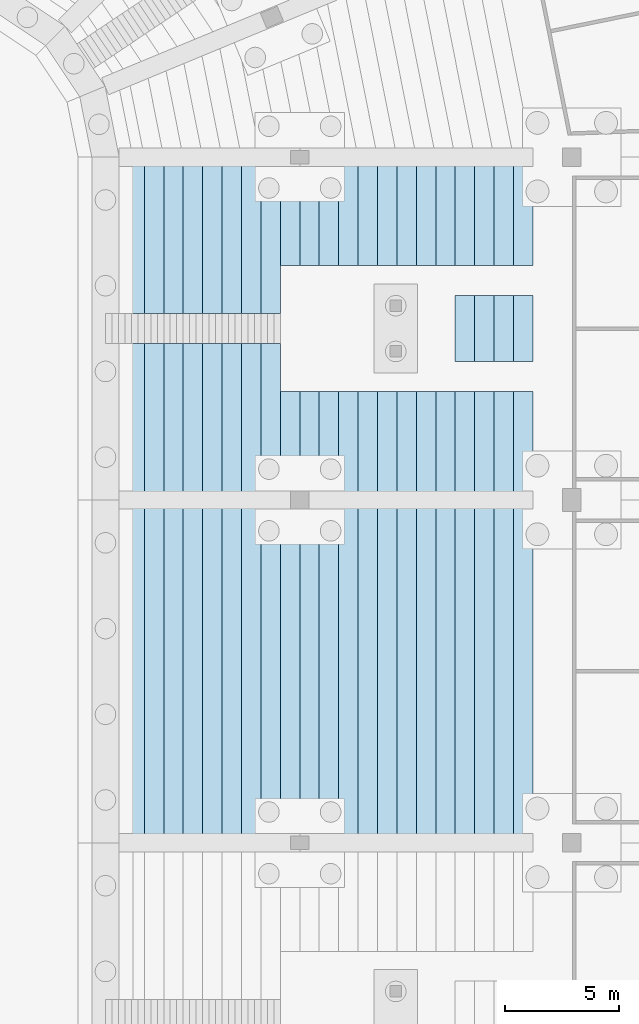
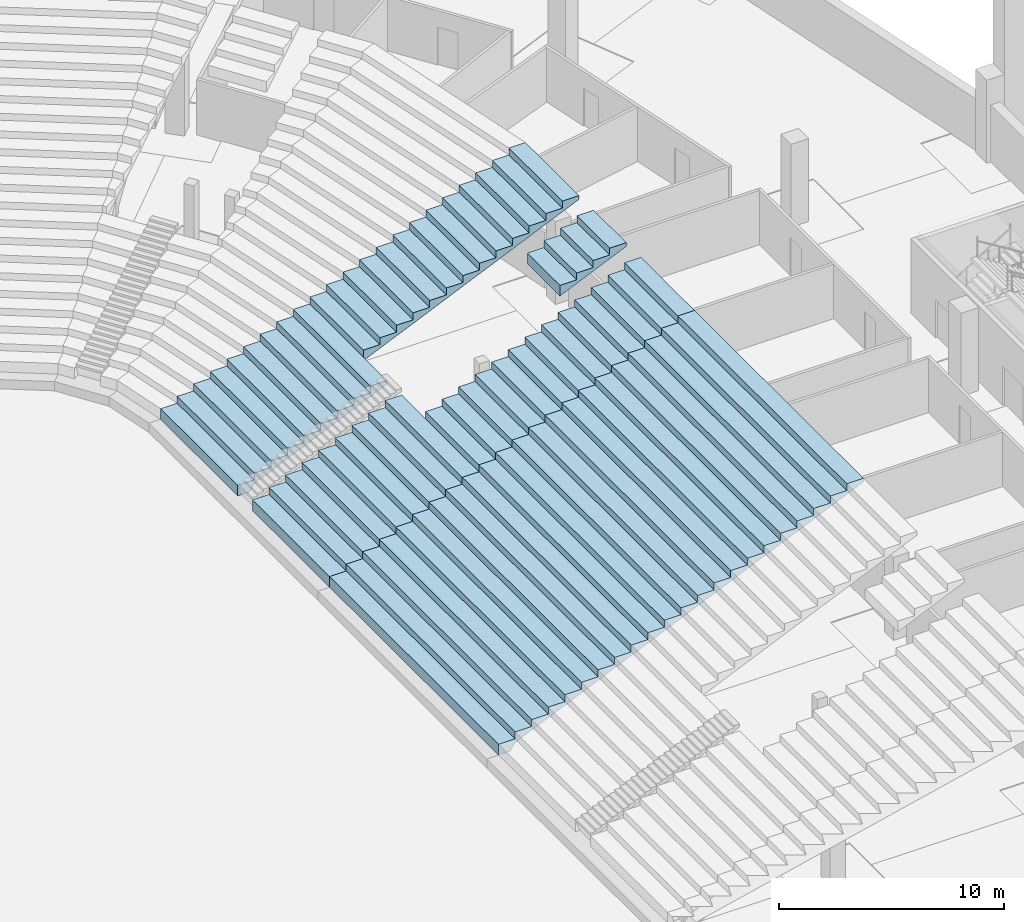
# One storey, part 59 of 115: 2 slabs.
"""IFC4 building model written with IfcOpenShell, lengths in metres."""

from ifc_helpers import new_model, si_unit, direction, frame, origin, place, context, subcontext, project, spatial, faceted_brep, material, layer, layer_set, type_object, element, save


model = new_model("IFC4")

# Units and contexts
model_context = context("Model", 3, precision=1e-05, world=origin(), true_north=direction((0.0, 1.0)))
body_context = subcontext(model_context, "Body", "Model", "MODEL_VIEW")
ifc_project = project(units=[si_unit("LENGTHUNIT", "METRE"), si_unit("AREAUNIT", "SQUARE_METRE"), si_unit("VOLUMEUNIT", "CUBIC_METRE"), si_unit("PLANEANGLEUNIT", "RADIAN"), si_unit("MASSUNIT", "GRAM", prefix="KILO")], contexts=[model_context])

# Site, building, storey
site_placement = place(None, origin())
site = spatial("IfcSite", under=ifc_project, at=site_placement, CompositionType="ELEMENT")
building_placement = place(site_placement, origin())
building = spatial("IfcBuilding", under=site, at=building_placement, Name="Ogive Plaza Stadium", CompositionType="ELEMENT")
storey_placement = place(building_placement, frame((0.0, 0.0, -4.5)))
storey = spatial("IfcBuildingStorey", under=building, at=storey_placement, Name="B1", CompositionType="ELEMENT", Elevation=-4.5)

# Slabs
ifc_material = material(Name="Concrete C45/55 precast", Category="concrete")
ifc_layer = layer(ifc_material, 0.574951171875)
ifc_layer_set = layer_set([ifc_layer], Name="Concrete C45/55 precast")
slab_type = type_object("IfcSlabType", Name="Seating tier LT 575", PredefinedType="USERDEFINED", material=ifc_layer_set)
slab_1_placement = place(storey_placement, origin())
element("IfcSlab", 1, at=slab_1_placement, inside=storey, type_object=slab_type, Name="Stand LT B01", ObjectType="SEATING TIER", PredefinedType="USERDEFINED", context=body_context, shape_type="Brep", body=[
    faceted_brep([(41.5, 45.64990234375, 1.125), (42.10009765625, 45.64990234375, 1.125), (42.10009765625, 52.5, 1.125), (41.5, 52.5, 1.125), (41.5, 37.5, 1.125), (42.10009765625, 37.5, 1.125), (42.10009765625, 44.35009765625, 1.125), (41.5, 44.35009765625, 1.125), (42.35009765625, 45.64990234375, 1.125), (42.35009765625, 52.5, 1.125), (42.35009765625, 37.5, 1.125), (42.35009765625, 44.35009765625, 1.125), (42.10009765625, 45.64990234375, 0.550048828125), (41.5, 52.5, 0.550048828125), (42.10009765625, 52.5, 0.550048828125), (41.5, 45.64990234375, 0.550048828125), (42.10009765625, 37.5, 0.550048828125), (41.5, 44.35009765625, 0.550048828125), (42.10009765625, 44.35009765625, 0.550048828125), (41.5, 37.5, 0.550048828125), (42.35009765625, 52.5, 0.925048828125), (42.35009765625, 52.5, 1.5), (43.199951171875, 52.5, 1.5), (43.199951171875, 52.5, 1.300048828125), (43.199951171875, 52.5, 1.875), (44.050048828125, 52.5, 1.875), (44.050048828125, 52.5, 1.675048828125), (44.050048828125, 52.5, 2.25), (44.89990234375, 52.5, 2.25), (44.89990234375, 52.5, 2.050048828125), (44.89990234375, 52.5, 2.625), (45.75, 52.5, 2.625), (45.75, 52.5, 2.425048828125), (45.75, 52.5, 3.0), (46.60009765625, 52.5, 3.0), (46.60009765625, 52.5, 2.800048828125), (46.60009765625, 52.5, 3.375), (47.449951171875, 52.5, 3.375), (47.449951171875, 52.5, 3.175048828125), (47.449951171875, 52.5, 3.75), (48.300048828125, 52.5, 3.75), (48.300048828125, 52.5, 3.550048828125), (48.300048828125, 52.5, 4.125), (49.14990234375, 52.5, 4.125), (49.14990234375, 52.5, 3.925048828125), (49.14990234375, 52.5, 4.5), (50.0, 52.5, 4.5), (50.0, 52.5, 4.300048828125), (50.0, 52.5, 4.875), (50.85009765625, 52.5, 4.875), (50.85009765625, 52.5, 4.675048828125), (50.85009765625, 52.5, 5.25), (51.699951171875, 52.5, 5.25), (51.699951171875, 52.5, 5.050048828125), (51.699951171875, 52.5, 5.625), (52.550048828125, 52.5, 5.625), (52.550048828125, 52.5, 5.425048828125), (52.550048828125, 52.5, 6.0), (53.39990234375, 52.5, 6.0), (53.39990234375, 52.5, 5.800048828125), (53.39990234375, 52.5, 6.375), (54.25, 52.5, 6.375), (54.25, 52.5, 6.175048828125), (54.25, 52.5, 6.75), (55.10009765625, 52.5, 6.75), (55.10009765625, 52.5, 6.550048828125), (55.10009765625, 52.5, 7.125), (55.949951171875, 52.5, 7.125), (55.949951171875, 52.5, 6.925048828125), (55.949951171875, 52.5, 7.5), (56.800048828125, 52.5, 7.5), (56.800048828125, 52.5, 7.300048828125), (56.800048828125, 52.5, 7.875), (57.64990234375, 52.5, 7.875), (57.64990234375, 52.5, 7.675048828125), (57.64990234375, 52.5, 8.25), (58.5, 52.5, 8.25), (58.5, 52.5, 8.050048828125), (58.5, 52.5, 8.625), (59.35009765625, 52.5, 8.625), (59.35009765625, 52.5, 8.425048828125), (59.35009765625, 52.5, 9.0), (60.199951171875, 52.5, 9.0), (60.199951171875, 52.5, 8.800048828125), (42.35009765625, 45.64990234375, 0.925048828125), (43.199951171875, 45.64990234375, 1.5), (42.35009765625, 45.64990234375, 1.5), (43.199951171875, 45.64990234375, 1.300048828125), (44.050048828125, 45.64990234375, 1.875), (43.199951171875, 45.64990234375, 1.875), (44.050048828125, 45.64990234375, 1.675048828125), (44.89990234375, 45.64990234375, 2.25), (44.050048828125, 45.64990234375, 2.25), (44.89990234375, 45.64990234375, 2.050048828125), (45.75, 45.64990234375, 2.625), (44.89990234375, 45.64990234375, 2.625), (45.75, 45.64990234375, 2.425048828125), (46.60009765625, 45.64990234375, 3.0), (45.75, 45.64990234375, 3.0), (46.60009765625, 45.64990234375, 2.800048828125), (47.449951171875, 45.64990234375, 3.375), (46.60009765625, 45.64990234375, 3.375), (47.449951171875, 45.64990234375, 3.175048828125), (48.300048828125, 45.64990234375, 3.75), (47.449951171875, 45.64990234375, 3.75), (48.300048828125, 45.64990234375, 3.550048828125), (49.14990234375, 45.64990234375, 4.125), (48.300048828125, 45.64990234375, 4.125), (49.14990234375, 45.64990234375, 3.925048828125), (42.35009765625, 44.35009765625, 0.925048828125), (42.35009765625, 44.35009765625, 1.5), (43.199951171875, 44.35009765625, 1.5), (43.199951171875, 44.35009765625, 1.300048828125), (43.199951171875, 44.35009765625, 1.875), (44.050048828125, 44.35009765625, 1.875), (44.050048828125, 44.35009765625, 1.675048828125), (44.050048828125, 44.35009765625, 2.25), (44.89990234375, 44.35009765625, 2.25), (44.89990234375, 44.35009765625, 2.050048828125), (44.89990234375, 44.35009765625, 2.625), (45.75, 44.35009765625, 2.625), (45.75, 44.35009765625, 2.425048828125), (45.75, 44.35009765625, 3.0), (46.60009765625, 44.35009765625, 3.0), (46.60009765625, 44.35009765625, 2.800048828125), (46.60009765625, 44.35009765625, 3.375), (47.449951171875, 44.35009765625, 3.375), (47.449951171875, 44.35009765625, 3.175048828125), (47.449951171875, 44.35009765625, 3.75), (48.300048828125, 44.35009765625, 3.75), (48.300048828125, 44.35009765625, 3.550048828125), (48.300048828125, 44.35009765625, 4.125), (49.14990234375, 44.35009765625, 4.125), (49.14990234375, 44.35009765625, 3.925048828125), (42.35009765625, 37.5, 0.925048828125), (43.199951171875, 37.5, 1.5), (42.35009765625, 37.5, 1.5), (43.199951171875, 37.5, 1.300048828125), (44.050048828125, 37.5, 1.875), (43.199951171875, 37.5, 1.875), (44.050048828125, 37.5, 1.675048828125), (44.89990234375, 37.5, 2.25), (44.050048828125, 37.5, 2.25), (44.89990234375, 37.5, 2.050048828125), (45.75, 37.5, 2.625), (44.89990234375, 37.5, 2.625), (45.75, 37.5, 2.425048828125), (46.60009765625, 37.5, 3.0), (45.75, 37.5, 3.0), (46.60009765625, 37.5, 2.800048828125), (47.449951171875, 37.5, 3.375), (46.60009765625, 37.5, 3.375), (47.449951171875, 37.5, 3.175048828125), (48.300048828125, 37.5, 3.75), (47.449951171875, 37.5, 3.75), (48.300048828125, 37.5, 3.550048828125), (49.14990234375, 37.5, 4.125), (48.300048828125, 37.5, 4.125), (49.14990234375, 37.5, 3.925048828125), (50.0, 37.5, 4.5), (49.14990234375, 37.5, 4.5), (50.0, 37.5, 4.300048828125), (50.85009765625, 37.5, 4.875), (50.0, 37.5, 4.875), (50.85009765625, 37.5, 4.675048828125), (51.699951171875, 37.5, 5.25), (50.85009765625, 37.5, 5.25), (51.699951171875, 37.5, 5.050048828125), (52.550048828125, 37.5, 5.625), (51.699951171875, 37.5, 5.625), (52.550048828125, 37.5, 5.425048828125), (53.39990234375, 37.5, 6.0), (52.550048828125, 37.5, 6.0), (53.39990234375, 37.5, 5.800048828125), (54.25, 37.5, 6.375), (53.39990234375, 37.5, 6.375), (54.25, 37.5, 6.175048828125), (55.10009765625, 37.5, 6.75), (54.25, 37.5, 6.75), (55.10009765625, 37.5, 6.550048828125), (55.949951171875, 37.5, 7.125), (55.10009765625, 37.5, 7.125), (55.949951171875, 37.5, 6.925048828125), (56.800048828125, 37.5, 7.5), (55.949951171875, 37.5, 7.5), (56.800048828125, 37.5, 7.300048828125), (57.64990234375, 37.5, 7.875), (56.800048828125, 37.5, 7.875), (57.64990234375, 37.5, 7.675048828125), (58.5, 37.5, 8.25), (57.64990234375, 37.5, 8.25), (58.5, 37.5, 8.050048828125), (59.35009765625, 37.5, 8.625), (58.5, 37.5, 8.625), (59.35009765625, 37.5, 8.425048828125), (60.199951171875, 37.5, 9.0), (59.35009765625, 37.5, 9.0), (60.199951171875, 37.5, 8.800048828125), (49.14990234375, 47.75, 3.925048828125), (49.14990234375, 42.25, 3.925048828125), (50.0, 47.75, 4.300048828125), (50.0, 42.25, 4.300048828125), (50.85009765625, 47.75, 4.675048828125), (50.85009765625, 42.25, 4.675048828125), (51.699951171875, 47.75, 5.050048828125), (51.699951171875, 42.25, 5.050048828125), (52.550048828125, 47.75, 5.425048828125), (52.550048828125, 42.25, 5.425048828125), (53.39990234375, 47.75, 5.800048828125), (53.39990234375, 42.25, 5.800048828125), (54.25, 47.75, 6.175048828125), (54.25, 42.25, 6.175048828125), (55.10009765625, 47.75, 6.550048828125), (55.10009765625, 42.25, 6.550048828125), (55.949951171875, 47.75, 6.925048828125), (55.949951171875, 42.25, 6.925048828125), (56.800048828125, 47.75, 7.300048828125), (56.800048828125, 42.25, 7.300048828125), (57.64990234375, 47.75, 7.675048828125), (57.64990234375, 43.550048828125, 7.675048828125), (56.800048828125, 46.449951171875, 7.300048828125), (57.64990234375, 46.449951171875, 7.675048828125), (56.800048828125, 43.550048828125, 7.300048828125), (57.64990234375, 42.25, 7.675048828125), (49.14990234375, 47.75, 4.125), (49.14990234375, 42.25, 4.125), (49.14990234375, 47.75, 4.5), (49.14990234375, 42.25, 4.5), (50.0, 47.75, 4.5), (50.0, 42.25, 4.5), (50.0, 47.75, 4.875), (50.0, 42.25, 4.875), (50.85009765625, 47.75, 4.875), (51.699951171875, 47.75, 5.25), (50.85009765625, 47.75, 5.25), (52.550048828125, 47.75, 5.625), (51.699951171875, 47.75, 5.625), (53.39990234375, 47.75, 6.0), (52.550048828125, 47.75, 6.0), (54.25, 47.75, 6.375), (53.39990234375, 47.75, 6.375), (55.10009765625, 47.75, 6.75), (54.25, 47.75, 6.75), (55.949951171875, 47.75, 7.125), (55.10009765625, 47.75, 7.125), (56.800048828125, 47.75, 7.5), (55.949951171875, 47.75, 7.5), (57.64990234375, 47.75, 7.875), (56.800048828125, 47.75, 7.875), (58.5, 47.75, 8.25), (57.64990234375, 47.75, 8.25), (58.5, 47.75, 8.050048828125), (59.35009765625, 47.75, 8.625), (58.5, 47.75, 8.625), (59.35009765625, 47.75, 8.425048828125), (60.199951171875, 47.75, 9.0), (59.35009765625, 47.75, 9.0), (60.199951171875, 47.75, 8.800048828125), (50.85009765625, 42.25, 4.875), (50.85009765625, 42.25, 5.25), (51.699951171875, 42.25, 5.25), (51.699951171875, 42.25, 5.625), (52.550048828125, 42.25, 5.625), (52.550048828125, 42.25, 6.0), (53.39990234375, 42.25, 6.0), (53.39990234375, 42.25, 6.375), (54.25, 42.25, 6.375), (54.25, 42.25, 6.75), (55.10009765625, 42.25, 6.75), (55.10009765625, 42.25, 7.125), (55.949951171875, 42.25, 7.125), (55.949951171875, 42.25, 7.5), (56.800048828125, 42.25, 7.5), (56.800048828125, 42.25, 7.875), (57.64990234375, 42.25, 7.875), (57.64990234375, 42.25, 8.25), (58.5, 42.25, 8.25), (58.5, 42.25, 8.050048828125), (58.5, 42.25, 8.625), (59.35009765625, 42.25, 8.625), (59.35009765625, 42.25, 8.425048828125), (59.35009765625, 42.25, 9.0), (60.199951171875, 42.25, 9.0), (60.199951171875, 42.25, 8.800048828125), (56.800048828125, 46.449951171875, 7.875), (56.800048828125, 43.550048828125, 7.875), (57.64990234375, 43.550048828125, 7.875), (57.64990234375, 46.449951171875, 7.875), (57.64990234375, 43.550048828125, 8.25), (57.64990234375, 46.449951171875, 8.25), (58.5, 46.449951171875, 8.25), (58.5, 46.449951171875, 8.050048828125), (58.5, 46.449951171875, 8.625), (59.35009765625, 46.449951171875, 8.625), (59.35009765625, 46.449951171875, 8.425048828125), (59.35009765625, 46.449951171875, 9.0), (60.199951171875, 46.449951171875, 9.0), (60.199951171875, 46.449951171875, 8.800048828125), (58.5, 43.550048828125, 8.25), (58.5, 43.550048828125, 8.050048828125), (59.35009765625, 43.550048828125, 8.625), (58.5, 43.550048828125, 8.625), (59.35009765625, 43.550048828125, 8.425048828125), (60.199951171875, 43.550048828125, 9.0), (59.35009765625, 43.550048828125, 9.0), (60.199951171875, 43.550048828125, 8.800048828125)], [[[0, 1, 2]], [[2, 3, 0]], [[4, 5, 6]], [[6, 7, 4]], [[1, 8, 9]], [[9, 2, 1]], [[5, 10, 11]], [[11, 6, 5]], [[12, 13, 14]], [[12, 15, 13]], [[16, 17, 18]], [[16, 19, 17]], [[2, 14, 13]], [[13, 3, 2]], [[20, 14, 2]], [[20, 2, 9]], [[9, 21, 22]], [[22, 23, 20]], [[20, 9, 22]], [[22, 24, 25]], [[25, 26, 23]], [[23, 22, 25]], [[25, 27, 28]], [[28, 29, 26]], [[26, 25, 28]], [[28, 30, 31]], [[31, 32, 29]], [[29, 28, 31]], [[31, 33, 34]], [[34, 35, 32]], [[32, 31, 34]], [[34, 36, 37]], [[37, 38, 35]], [[35, 34, 37]], [[37, 39, 40]], [[40, 41, 38]], [[38, 37, 40]], [[40, 42, 43]], [[43, 44, 41]], [[41, 40, 43]], [[43, 45, 46]], [[46, 47, 44]], [[44, 43, 46]], [[46, 48, 49]], [[49, 50, 47]], [[47, 46, 49]], [[49, 51, 52]], [[52, 53, 50]], [[50, 49, 52]], [[52, 54, 55]], [[55, 56, 53]], [[53, 52, 55]], [[55, 57, 58]], [[58, 59, 56]], [[56, 55, 58]], [[58, 60, 61]], [[61, 62, 59]], [[59, 58, 61]], [[61, 63, 64]], [[64, 65, 62]], [[62, 61, 64]], [[64, 66, 67]], [[67, 68, 65]], [[65, 64, 67]], [[67, 69, 70]], [[70, 71, 68]], [[68, 67, 70]], [[70, 72, 73]], [[73, 74, 71]], [[71, 70, 73]], [[73, 75, 76]], [[76, 77, 74]], [[74, 73, 76]], [[76, 78, 79]], [[79, 80, 77]], [[77, 76, 79]], [[79, 81, 82]], [[82, 83, 80]], [[80, 79, 82]], [[3, 13, 15]], [[15, 0, 3]], [[7, 17, 19]], [[19, 4, 7]], [[0, 15, 12]], [[12, 1, 0]], [[1, 12, 84]], [[84, 8, 1]], [[85, 86, 8]], [[8, 84, 87]], [[87, 85, 8]], [[88, 89, 85]], [[85, 87, 90]], [[90, 88, 85]], [[91, 92, 88]], [[88, 90, 93]], [[93, 91, 88]], [[94, 95, 91]], [[91, 93, 96]], [[96, 94, 91]], [[97, 98, 94]], [[94, 96, 99]], [[99, 97, 94]], [[100, 101, 97]], [[97, 99, 102]], [[102, 100, 97]], [[103, 104, 100]], [[100, 102, 105]], [[105, 103, 100]], [[106, 107, 103]], [[103, 105, 108]], [[108, 106, 103]], [[6, 18, 17]], [[17, 7, 6]], [[109, 18, 6]], [[109, 6, 11]], [[11, 110, 111]], [[111, 112, 109]], [[109, 11, 111]], [[111, 113, 114]], [[114, 115, 112]], [[112, 111, 114]], [[114, 116, 117]], [[117, 118, 115]], [[115, 114, 117]], [[117, 119, 120]], [[120, 121, 118]], [[118, 117, 120]], [[120, 122, 123]], [[123, 124, 121]], [[121, 120, 123]], [[123, 125, 126]], [[126, 127, 124]], [[124, 123, 126]], [[126, 128, 129]], [[129, 130, 127]], [[127, 126, 129]], [[129, 131, 132]], [[132, 133, 130]], [[130, 129, 132]], [[4, 19, 16]], [[16, 5, 4]], [[5, 16, 134]], [[134, 10, 5]], [[135, 136, 10]], [[10, 134, 137]], [[137, 135, 10]], [[138, 139, 135]], [[135, 137, 140]], [[140, 138, 135]], [[141, 142, 138]], [[138, 140, 143]], [[143, 141, 138]], [[144, 145, 141]], [[141, 143, 146]], [[146, 144, 141]], [[147, 148, 144]], [[144, 146, 149]], [[149, 147, 144]], [[150, 151, 147]], [[147, 149, 152]], [[152, 150, 147]], [[153, 154, 150]], [[150, 152, 155]], [[155, 153, 150]], [[156, 157, 153]], [[153, 155, 158]], [[158, 156, 153]], [[159, 160, 156]], [[156, 158, 161]], [[161, 159, 156]], [[162, 163, 159]], [[159, 161, 164]], [[164, 162, 159]], [[165, 166, 162]], [[162, 164, 167]], [[167, 165, 162]], [[168, 169, 165]], [[165, 167, 170]], [[170, 168, 165]], [[171, 172, 168]], [[168, 170, 173]], [[173, 171, 168]], [[174, 175, 171]], [[171, 173, 176]], [[176, 174, 171]], [[177, 178, 174]], [[174, 176, 179]], [[179, 177, 174]], [[180, 181, 177]], [[177, 179, 182]], [[182, 180, 177]], [[183, 184, 180]], [[180, 182, 185]], [[185, 183, 180]], [[186, 187, 183]], [[183, 185, 188]], [[188, 186, 183]], [[189, 190, 186]], [[186, 188, 191]], [[191, 189, 186]], [[192, 193, 189]], [[189, 191, 194]], [[194, 192, 189]], [[195, 196, 192]], [[192, 194, 197]], [[197, 195, 192]], [[84, 14, 20]], [[84, 12, 14]], [[134, 18, 109]], [[134, 16, 18]], [[8, 86, 21]], [[21, 9, 8]], [[10, 136, 110]], [[110, 11, 10]], [[86, 85, 22]], [[22, 21, 86]], [[136, 135, 111]], [[111, 110, 136]], [[87, 20, 23]], [[87, 84, 20]], [[137, 109, 112]], [[137, 134, 109]], [[90, 23, 26]], [[90, 87, 23]], [[140, 112, 115]], [[140, 137, 112]], [[93, 26, 29]], [[93, 90, 26]], [[143, 115, 118]], [[143, 140, 115]], [[96, 29, 32]], [[96, 93, 29]], [[146, 118, 121]], [[146, 143, 118]], [[99, 32, 35]], [[99, 96, 32]], [[149, 121, 124]], [[149, 146, 121]], [[102, 35, 38]], [[102, 99, 35]], [[152, 124, 127]], [[152, 149, 124]], [[105, 38, 41]], [[105, 102, 38]], [[155, 127, 130]], [[155, 152, 127]], [[41, 44, 198]], [[108, 41, 198]], [[108, 105, 41]], [[199, 158, 130]], [[130, 133, 199]], [[158, 155, 130]], [[200, 44, 47]], [[200, 198, 44]], [[161, 199, 201]], [[161, 158, 199]], [[202, 47, 50]], [[202, 200, 47]], [[164, 201, 203]], [[164, 161, 201]], [[204, 50, 53]], [[204, 202, 50]], [[167, 203, 205]], [[167, 164, 203]], [[206, 53, 56]], [[206, 204, 53]], [[170, 205, 207]], [[170, 167, 205]], [[208, 56, 59]], [[208, 206, 56]], [[173, 207, 209]], [[173, 170, 207]], [[210, 59, 62]], [[210, 208, 59]], [[176, 209, 211]], [[176, 173, 209]], [[212, 62, 65]], [[212, 210, 62]], [[179, 211, 213]], [[179, 176, 211]], [[214, 65, 68]], [[214, 212, 65]], [[182, 213, 215]], [[182, 179, 213]], [[216, 68, 71]], [[216, 214, 68]], [[185, 215, 217]], [[185, 182, 215]], [[218, 71, 74]], [[218, 216, 71]], [[219, 220, 221]], [[219, 222, 220]], [[188, 217, 223]], [[188, 185, 217]], [[85, 89, 24]], [[24, 22, 85]], [[135, 139, 113]], [[113, 111, 135]], [[89, 88, 25]], [[25, 24, 89]], [[139, 138, 114]], [[114, 113, 139]], [[88, 92, 27]], [[27, 25, 88]], [[138, 142, 116]], [[116, 114, 138]], [[92, 91, 28]], [[28, 27, 92]], [[142, 141, 117]], [[117, 116, 142]], [[91, 95, 30]], [[30, 28, 91]], [[141, 145, 119]], [[119, 117, 141]], [[95, 94, 31]], [[31, 30, 95]], [[145, 144, 120]], [[120, 119, 145]], [[94, 98, 33]], [[33, 31, 94]], [[144, 148, 122]], [[122, 120, 144]], [[98, 97, 34]], [[34, 33, 98]], [[148, 147, 123]], [[123, 122, 148]], [[97, 101, 36]], [[36, 34, 97]], [[147, 151, 125]], [[125, 123, 147]], [[101, 100, 37]], [[37, 36, 101]], [[151, 150, 126]], [[126, 125, 151]], [[100, 104, 39]], [[39, 37, 100]], [[150, 154, 128]], [[128, 126, 150]], [[104, 103, 40]], [[40, 39, 104]], [[154, 153, 129]], [[129, 128, 154]], [[103, 107, 42]], [[42, 40, 103]], [[153, 157, 131]], [[131, 129, 153]], [[43, 42, 107]], [[224, 43, 107]], [[106, 224, 107]], [[132, 131, 157]], [[157, 156, 225]], [[225, 132, 157]], [[106, 108, 198]], [[198, 224, 106]], [[225, 199, 133]], [[225, 133, 132]], [[45, 43, 224]], [[226, 45, 224]], [[227, 225, 156]], [[160, 227, 156]], [[226, 228, 46]], [[46, 45, 226]], [[160, 159, 229]], [[229, 227, 160]], [[228, 230, 48]], [[48, 46, 228]], [[159, 163, 231]], [[231, 229, 159]], [[228, 226, 224]], [[224, 198, 200]], [[200, 228, 224]], [[232, 230, 228]], [[228, 200, 202]], [[202, 232, 228]], [[233, 234, 232]], [[232, 202, 204]], [[204, 233, 232]], [[235, 236, 233]], [[233, 204, 206]], [[206, 235, 233]], [[237, 238, 235]], [[235, 206, 208]], [[208, 237, 235]], [[239, 240, 237]], [[237, 208, 210]], [[210, 239, 237]], [[241, 242, 239]], [[239, 210, 212]], [[212, 241, 239]], [[243, 244, 241]], [[241, 212, 214]], [[214, 243, 241]], [[245, 246, 243]], [[243, 214, 216]], [[216, 245, 243]], [[247, 248, 245]], [[245, 216, 218]], [[218, 247, 245]], [[249, 250, 247]], [[247, 218, 251]], [[251, 249, 247]], [[252, 253, 249]], [[249, 251, 254]], [[254, 252, 249]], [[255, 256, 252]], [[252, 254, 257]], [[257, 255, 252]], [[225, 227, 229]], [[229, 201, 199]], [[199, 225, 229]], [[229, 231, 258]], [[258, 203, 201]], [[201, 229, 258]], [[258, 259, 260]], [[260, 205, 203]], [[203, 258, 260]], [[260, 261, 262]], [[262, 207, 205]], [[205, 260, 262]], [[262, 263, 264]], [[264, 209, 207]], [[207, 262, 264]], [[264, 265, 266]], [[266, 211, 209]], [[209, 264, 266]], [[266, 267, 268]], [[268, 213, 211]], [[211, 266, 268]], [[268, 269, 270]], [[270, 215, 213]], [[213, 268, 270]], [[270, 271, 272]], [[272, 217, 215]], [[215, 270, 272]], [[272, 273, 274]], [[274, 223, 217]], [[217, 272, 274]], [[274, 275, 276]], [[276, 277, 223]], [[223, 274, 276]], [[276, 278, 279]], [[279, 280, 277]], [[277, 276, 279]], [[279, 281, 282]], [[282, 283, 280]], [[280, 279, 282]], [[230, 232, 49]], [[49, 48, 230]], [[163, 162, 258]], [[258, 231, 163]], [[232, 234, 51]], [[51, 49, 232]], [[162, 166, 259]], [[259, 258, 162]], [[234, 233, 52]], [[52, 51, 234]], [[166, 165, 260]], [[260, 259, 166]], [[233, 236, 54]], [[54, 52, 233]], [[165, 169, 261]], [[261, 260, 165]], [[236, 235, 55]], [[55, 54, 236]], [[169, 168, 262]], [[262, 261, 169]], [[235, 238, 57]], [[57, 55, 235]], [[168, 172, 263]], [[263, 262, 168]], [[238, 237, 58]], [[58, 57, 238]], [[172, 171, 264]], [[264, 263, 172]], [[237, 240, 60]], [[60, 58, 237]], [[171, 175, 265]], [[265, 264, 171]], [[240, 239, 61]], [[61, 60, 240]], [[175, 174, 266]], [[266, 265, 175]], [[239, 242, 63]], [[63, 61, 239]], [[174, 178, 267]], [[267, 266, 174]], [[242, 241, 64]], [[64, 63, 242]], [[178, 177, 268]], [[268, 267, 178]], [[241, 244, 66]], [[66, 64, 241]], [[177, 181, 269]], [[269, 268, 177]], [[244, 243, 67]], [[67, 66, 244]], [[181, 180, 270]], [[270, 269, 181]], [[243, 246, 69]], [[69, 67, 243]], [[180, 184, 271]], [[271, 270, 180]], [[246, 245, 70]], [[70, 69, 246]], [[184, 183, 272]], [[272, 271, 184]], [[245, 248, 72]], [[72, 70, 245]], [[284, 220, 222]], [[222, 285, 284]], [[183, 187, 273]], [[273, 272, 183]], [[248, 247, 73]], [[73, 72, 248]], [[285, 286, 287]], [[287, 284, 285]], [[187, 186, 274]], [[274, 273, 187]], [[247, 250, 75]], [[75, 73, 247]], [[286, 288, 289]], [[289, 287, 286]], [[186, 190, 275]], [[275, 274, 186]], [[221, 220, 284]], [[221, 284, 287]], [[287, 289, 290]], [[290, 291, 221]], [[221, 287, 290]], [[290, 292, 293]], [[293, 294, 291]], [[291, 290, 293]], [[293, 295, 296]], [[296, 297, 294]], [[294, 293, 296]], [[285, 222, 219]], [[219, 286, 285]], [[298, 288, 286]], [[286, 219, 299]], [[299, 298, 286]], [[300, 301, 298]], [[298, 299, 302]], [[302, 300, 298]], [[303, 304, 300]], [[300, 302, 305]], [[305, 303, 300]], [[250, 249, 76]], [[76, 75, 250]], [[288, 298, 290]], [[290, 289, 288]], [[190, 189, 276]], [[276, 275, 190]], [[251, 74, 77]], [[251, 218, 74]], [[299, 221, 291]], [[299, 219, 221]], [[191, 223, 277]], [[191, 188, 223]], [[254, 77, 80]], [[254, 251, 77]], [[302, 291, 294]], [[302, 299, 291]], [[194, 277, 280]], [[194, 191, 277]], [[257, 80, 83]], [[257, 254, 80]], [[305, 294, 297]], [[305, 302, 294]], [[197, 280, 283]], [[197, 194, 280]], [[249, 253, 78]], [[78, 76, 249]], [[298, 301, 292]], [[292, 290, 298]], [[189, 193, 278]], [[278, 276, 189]], [[253, 252, 79]], [[79, 78, 253]], [[301, 300, 293]], [[293, 292, 301]], [[193, 192, 279]], [[279, 278, 193]], [[252, 256, 81]], [[81, 79, 252]], [[300, 304, 295]], [[295, 293, 300]], [[192, 196, 281]], [[281, 279, 192]], [[256, 255, 82]], [[82, 81, 256]], [[304, 303, 296]], [[296, 295, 304]], [[196, 195, 282]], [[282, 281, 196]], [[255, 257, 83]], [[83, 82, 255]], [[303, 305, 297]], [[297, 296, 303]], [[195, 197, 283]], [[283, 282, 195]]]),
])
slab_2_placement = place(storey_placement, origin())
element("IfcSlab", 2, at=slab_2_placement, inside=storey, type_object=slab_type, Name="Stand LT B02", ObjectType="SEATING TIER", PredefinedType="USERDEFINED", context=body_context, shape_type="Brep", body=[
    faceted_brep([(41.5, 22.5, 1.125), (42.10009765625, 22.5, 1.125), (42.10009765625, 37.5, 1.125), (41.5, 37.5, 1.125), (42.35009765625, 22.5, 1.125), (42.35009765625, 37.5, 1.125), (42.10009765625, 22.5, 0.550048828125), (41.5, 37.5, 0.550048828125), (42.10009765625, 37.5, 0.550048828125), (41.5, 22.5, 0.550048828125), (42.35009765625, 37.5, 0.925048828125), (42.35009765625, 37.5, 1.5), (43.199951171875, 37.5, 1.5), (43.199951171875, 37.5, 1.300048828125), (43.199951171875, 37.5, 1.875), (44.050048828125, 37.5, 1.875), (44.050048828125, 37.5, 1.675048828125), (44.050048828125, 37.5, 2.25), (44.89990234375, 37.5, 2.25), (44.89990234375, 37.5, 2.050048828125), (44.89990234375, 37.5, 2.625), (45.75, 37.5, 2.625), (45.75, 37.5, 2.425048828125), (45.75, 37.5, 3.0), (46.60009765625, 37.5, 3.0), (46.60009765625, 37.5, 2.800048828125), (46.60009765625, 37.5, 3.375), (47.449951171875, 37.5, 3.375), (47.449951171875, 37.5, 3.175048828125), (47.449951171875, 37.5, 3.75), (48.300048828125, 37.5, 3.75), (48.300048828125, 37.5, 3.550048828125), (48.300048828125, 37.5, 4.125), (49.14990234375, 37.5, 4.125), (49.14990234375, 37.5, 3.925048828125), (49.14990234375, 37.5, 4.5), (50.0, 37.5, 4.5), (50.0, 37.5, 4.300048828125), (50.0, 37.5, 4.875), (50.85009765625, 37.5, 4.875), (50.85009765625, 37.5, 4.675048828125), (50.85009765625, 37.5, 5.25), (51.699951171875, 37.5, 5.25), (51.699951171875, 37.5, 5.050048828125), (51.699951171875, 37.5, 5.625), (52.550048828125, 37.5, 5.625), (52.550048828125, 37.5, 5.425048828125), (52.550048828125, 37.5, 6.0), (53.39990234375, 37.5, 6.0), (53.39990234375, 37.5, 5.800048828125), (53.39990234375, 37.5, 6.375), (54.25, 37.5, 6.375), (54.25, 37.5, 6.175048828125), (54.25, 37.5, 6.75), (55.10009765625, 37.5, 6.75), (55.10009765625, 37.5, 6.550048828125), (55.10009765625, 37.5, 7.125), (55.949951171875, 37.5, 7.125), (55.949951171875, 37.5, 6.925048828125), (55.949951171875, 37.5, 7.5), (56.800048828125, 37.5, 7.5), (56.800048828125, 37.5, 7.300048828125), (56.800048828125, 37.5, 7.875), (57.64990234375, 37.5, 7.875), (57.64990234375, 37.5, 7.675048828125), (57.64990234375, 37.5, 8.25), (58.5, 37.5, 8.25), (58.5, 37.5, 8.050048828125), (58.5, 37.5, 8.625), (59.35009765625, 37.5, 8.625), (59.35009765625, 37.5, 8.425048828125), (59.35009765625, 37.5, 9.0), (60.199951171875, 37.5, 9.0), (60.199951171875, 37.5, 8.800048828125), (42.35009765625, 22.5, 0.925048828125), (43.199951171875, 22.5, 1.5), (42.35009765625, 22.5, 1.5), (43.199951171875, 22.5, 1.300048828125), (44.050048828125, 22.5, 1.875), (43.199951171875, 22.5, 1.875), (44.050048828125, 22.5, 1.675048828125), (44.89990234375, 22.5, 2.25), (44.050048828125, 22.5, 2.25), (44.89990234375, 22.5, 2.050048828125), (45.75, 22.5, 2.625), (44.89990234375, 22.5, 2.625), (45.75, 22.5, 2.425048828125), (46.60009765625, 22.5, 3.0), (45.75, 22.5, 3.0), (46.60009765625, 22.5, 2.800048828125), (47.449951171875, 22.5, 3.375), (46.60009765625, 22.5, 3.375), (47.449951171875, 22.5, 3.175048828125), (48.300048828125, 22.5, 3.75), (47.449951171875, 22.5, 3.75), (48.300048828125, 22.5, 3.550048828125), (49.14990234375, 22.5, 4.125), (48.300048828125, 22.5, 4.125), (49.14990234375, 22.5, 3.925048828125), (50.0, 22.5, 4.5), (49.14990234375, 22.5, 4.5), (50.0, 22.5, 4.300048828125), (50.85009765625, 22.5, 4.875), (50.0, 22.5, 4.875), (50.85009765625, 22.5, 4.675048828125), (51.699951171875, 22.5, 5.25), (50.85009765625, 22.5, 5.25), (51.699951171875, 22.5, 5.050048828125), (52.550048828125, 22.5, 5.625), (51.699951171875, 22.5, 5.625), (52.550048828125, 22.5, 5.425048828125), (53.39990234375, 22.5, 6.0), (52.550048828125, 22.5, 6.0), (53.39990234375, 22.5, 5.800048828125), (54.25, 22.5, 6.375), (53.39990234375, 22.5, 6.375), (54.25, 22.5, 6.175048828125), (55.10009765625, 22.5, 6.75), (54.25, 22.5, 6.75), (55.10009765625, 22.5, 6.550048828125), (55.949951171875, 22.5, 7.125), (55.10009765625, 22.5, 7.125), (55.949951171875, 22.5, 6.925048828125), (56.800048828125, 22.5, 7.5), (55.949951171875, 22.5, 7.5), (56.800048828125, 22.5, 7.300048828125), (57.64990234375, 22.5, 7.875), (56.800048828125, 22.5, 7.875), (57.64990234375, 22.5, 7.675048828125), (58.5, 22.5, 8.25), (57.64990234375, 22.5, 8.25), (58.5, 22.5, 8.050048828125), (59.35009765625, 22.5, 8.625), (58.5, 22.5, 8.625), (59.35009765625, 22.5, 8.425048828125), (60.199951171875, 22.5, 9.0), (59.35009765625, 22.5, 9.0), (60.199951171875, 22.5, 8.800048828125)], [[[0, 1, 2]], [[2, 3, 0]], [[1, 4, 5]], [[5, 2, 1]], [[6, 7, 8]], [[6, 9, 7]], [[2, 8, 7]], [[7, 3, 2]], [[10, 8, 2]], [[10, 2, 5]], [[5, 11, 12]], [[12, 13, 10]], [[10, 5, 12]], [[12, 14, 15]], [[15, 16, 13]], [[13, 12, 15]], [[15, 17, 18]], [[18, 19, 16]], [[16, 15, 18]], [[18, 20, 21]], [[21, 22, 19]], [[19, 18, 21]], [[21, 23, 24]], [[24, 25, 22]], [[22, 21, 24]], [[24, 26, 27]], [[27, 28, 25]], [[25, 24, 27]], [[27, 29, 30]], [[30, 31, 28]], [[28, 27, 30]], [[30, 32, 33]], [[33, 34, 31]], [[31, 30, 33]], [[33, 35, 36]], [[36, 37, 34]], [[34, 33, 36]], [[36, 38, 39]], [[39, 40, 37]], [[37, 36, 39]], [[39, 41, 42]], [[42, 43, 40]], [[40, 39, 42]], [[42, 44, 45]], [[45, 46, 43]], [[43, 42, 45]], [[45, 47, 48]], [[48, 49, 46]], [[46, 45, 48]], [[48, 50, 51]], [[51, 52, 49]], [[49, 48, 51]], [[51, 53, 54]], [[54, 55, 52]], [[52, 51, 54]], [[54, 56, 57]], [[57, 58, 55]], [[55, 54, 57]], [[57, 59, 60]], [[60, 61, 58]], [[58, 57, 60]], [[60, 62, 63]], [[63, 64, 61]], [[61, 60, 63]], [[63, 65, 66]], [[66, 67, 64]], [[64, 63, 66]], [[66, 68, 69]], [[69, 70, 67]], [[67, 66, 69]], [[69, 71, 72]], [[72, 73, 70]], [[70, 69, 72]], [[3, 7, 9]], [[9, 0, 3]], [[0, 9, 6]], [[6, 1, 0]], [[1, 6, 74]], [[74, 4, 1]], [[75, 76, 4]], [[4, 74, 77]], [[77, 75, 4]], [[78, 79, 75]], [[75, 77, 80]], [[80, 78, 75]], [[81, 82, 78]], [[78, 80, 83]], [[83, 81, 78]], [[84, 85, 81]], [[81, 83, 86]], [[86, 84, 81]], [[87, 88, 84]], [[84, 86, 89]], [[89, 87, 84]], [[90, 91, 87]], [[87, 89, 92]], [[92, 90, 87]], [[93, 94, 90]], [[90, 92, 95]], [[95, 93, 90]], [[96, 97, 93]], [[93, 95, 98]], [[98, 96, 93]], [[99, 100, 96]], [[96, 98, 101]], [[101, 99, 96]], [[102, 103, 99]], [[99, 101, 104]], [[104, 102, 99]], [[105, 106, 102]], [[102, 104, 107]], [[107, 105, 102]], [[108, 109, 105]], [[105, 107, 110]], [[110, 108, 105]], [[111, 112, 108]], [[108, 110, 113]], [[113, 111, 108]], [[114, 115, 111]], [[111, 113, 116]], [[116, 114, 111]], [[117, 118, 114]], [[114, 116, 119]], [[119, 117, 114]], [[120, 121, 117]], [[117, 119, 122]], [[122, 120, 117]], [[123, 124, 120]], [[120, 122, 125]], [[125, 123, 120]], [[126, 127, 123]], [[123, 125, 128]], [[128, 126, 123]], [[129, 130, 126]], [[126, 128, 131]], [[131, 129, 126]], [[132, 133, 129]], [[129, 131, 134]], [[134, 132, 129]], [[135, 136, 132]], [[132, 134, 137]], [[137, 135, 132]], [[74, 8, 10]], [[74, 6, 8]], [[4, 76, 11]], [[11, 5, 4]], [[76, 75, 12]], [[12, 11, 76]], [[77, 10, 13]], [[77, 74, 10]], [[80, 13, 16]], [[80, 77, 13]], [[83, 16, 19]], [[83, 80, 16]], [[86, 19, 22]], [[86, 83, 19]], [[89, 22, 25]], [[89, 86, 22]], [[92, 25, 28]], [[92, 89, 25]], [[95, 28, 31]], [[95, 92, 28]], [[98, 31, 34]], [[98, 95, 31]], [[101, 34, 37]], [[101, 98, 34]], [[104, 37, 40]], [[104, 101, 37]], [[107, 40, 43]], [[107, 104, 40]], [[110, 43, 46]], [[110, 107, 43]], [[113, 46, 49]], [[113, 110, 46]], [[116, 49, 52]], [[116, 113, 49]], [[119, 52, 55]], [[119, 116, 52]], [[122, 55, 58]], [[122, 119, 55]], [[125, 58, 61]], [[125, 122, 58]], [[128, 61, 64]], [[128, 125, 61]], [[75, 79, 14]], [[14, 12, 75]], [[79, 78, 15]], [[15, 14, 79]], [[78, 82, 17]], [[17, 15, 78]], [[82, 81, 18]], [[18, 17, 82]], [[81, 85, 20]], [[20, 18, 81]], [[85, 84, 21]], [[21, 20, 85]], [[84, 88, 23]], [[23, 21, 84]], [[88, 87, 24]], [[24, 23, 88]], [[87, 91, 26]], [[26, 24, 87]], [[91, 90, 27]], [[27, 26, 91]], [[90, 94, 29]], [[29, 27, 90]], [[94, 93, 30]], [[30, 29, 94]], [[93, 97, 32]], [[32, 30, 93]], [[97, 96, 33]], [[33, 32, 97]], [[96, 100, 35]], [[35, 33, 96]], [[100, 99, 36]], [[36, 35, 100]], [[99, 103, 38]], [[38, 36, 99]], [[103, 102, 39]], [[39, 38, 103]], [[102, 106, 41]], [[41, 39, 102]], [[106, 105, 42]], [[42, 41, 106]], [[105, 109, 44]], [[44, 42, 105]], [[109, 108, 45]], [[45, 44, 109]], [[108, 112, 47]], [[47, 45, 108]], [[112, 111, 48]], [[48, 47, 112]], [[111, 115, 50]], [[50, 48, 111]], [[115, 114, 51]], [[51, 50, 115]], [[114, 118, 53]], [[53, 51, 114]], [[118, 117, 54]], [[54, 53, 118]], [[117, 121, 56]], [[56, 54, 117]], [[121, 120, 57]], [[57, 56, 121]], [[120, 124, 59]], [[59, 57, 120]], [[124, 123, 60]], [[60, 59, 124]], [[123, 127, 62]], [[62, 60, 123]], [[127, 126, 63]], [[63, 62, 127]], [[126, 130, 65]], [[65, 63, 126]], [[130, 129, 66]], [[66, 65, 130]], [[131, 64, 67]], [[131, 128, 64]], [[134, 67, 70]], [[134, 131, 67]], [[137, 70, 73]], [[137, 134, 70]], [[129, 133, 68]], [[68, 66, 129]], [[133, 132, 69]], [[69, 68, 133]], [[132, 136, 71]], [[71, 69, 132]], [[136, 135, 72]], [[72, 71, 136]], [[135, 137, 73]], [[73, 72, 135]]]),
])

save(model, "model.ifc")
